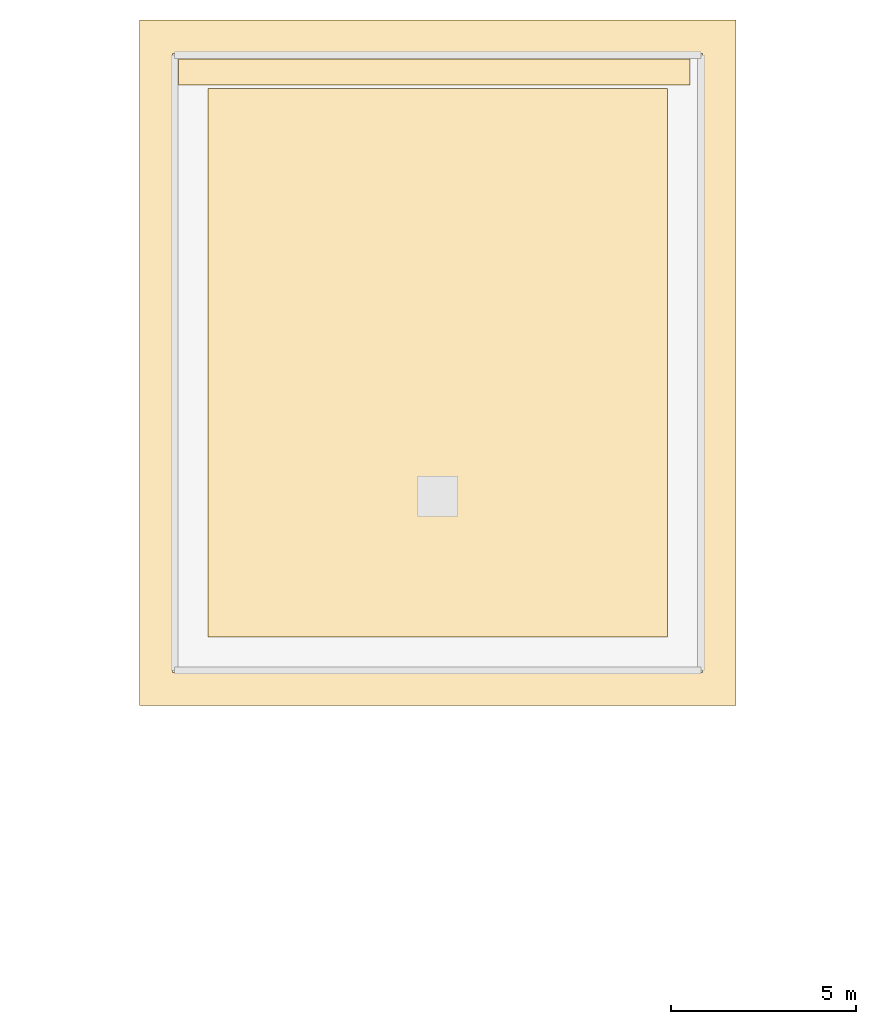
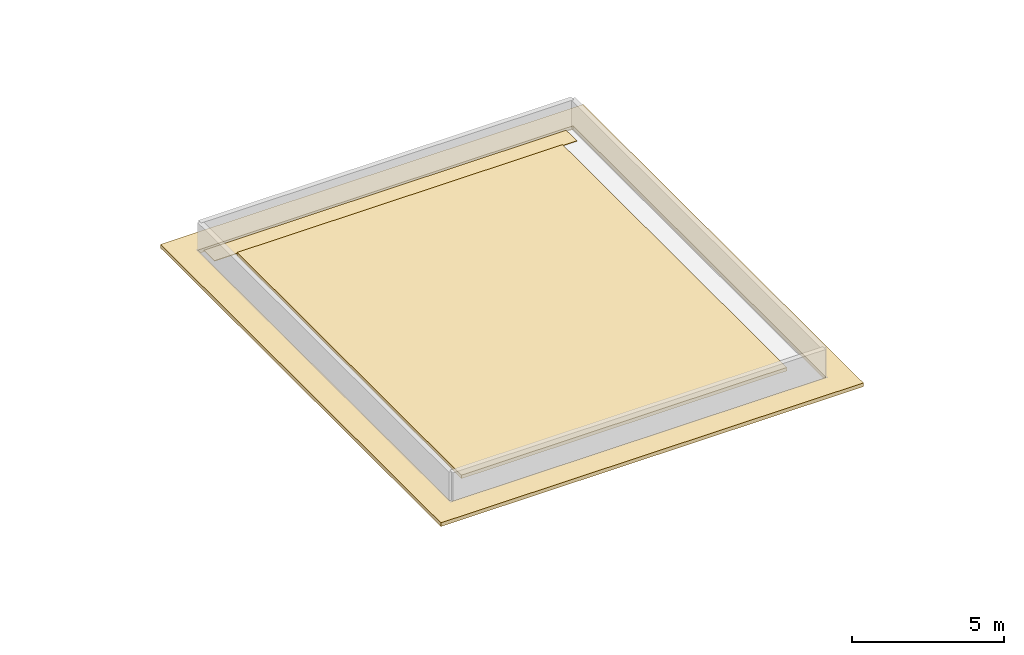
# One storey, part 39 of 46: 3 coverings.
"""IFC4 building model written with IfcOpenShell, lengths in metres."""

from ifc_helpers import new_model, si_unit, direction, frame, origin, place, context, subcontext, project, spatial, polyline, outline, extrude, material, layer, layer_set, type_object, element, save


model = new_model("IFC4")

# Units and contexts
model_context = context("Model", 3, precision=1e-05, world=origin(), true_north=direction((0.0, 1.0)))
body_context = subcontext(model_context, "Body", "Model", "MODEL_VIEW")
ifc_project = project(units=[si_unit("LENGTHUNIT", "METRE"), si_unit("AREAUNIT", "SQUARE_METRE"), si_unit("VOLUMEUNIT", "CUBIC_METRE"), si_unit("PLANEANGLEUNIT", "RADIAN"), si_unit("MASSUNIT", "GRAM", prefix="KILO")], contexts=[model_context])

# Site, building, storey
site_placement = place(None, origin())
site = spatial("IfcSite", under=ifc_project, at=site_placement, CompositionType="ELEMENT")
building_placement = place(site_placement, origin())
building = spatial("IfcBuilding", under=site, at=building_placement, Name="Nzembalo Square Collegiate School", CompositionType="ELEMENT")
storey_placement = place(building_placement, frame((0.0, 0.0, 17.340087890625)))
storey = spatial("IfcBuildingStorey", under=building, at=storey_placement, Name="L04", CompositionType="ELEMENT", Elevation=17.340087890625)

# Coverings
ifc_material_1 = material(Name="Glulam GL28h overhanging eaves cornice", Category="wood")
ifc_layer_1 = layer(ifc_material_1, 0.159912109375, Name="Glulam GL28h overhanging eaves cornice")
ifc_layer_set_1 = layer_set([ifc_layer_1], Name="Glulam GL28h overhanging eaves cornice")
covering_type_1 = type_object("IfcCoveringType", Name="EV01", PredefinedType="ROOFING", material=ifc_layer_set_1)
covering_1_placement = place(storey_placement, frame((0.0, 0.0, -0.16015625)))
element("IfcCovering", 1, at=covering_1_placement, inside=storey, type_object=covering_type_1, Name="Projecting tropical roof eaves cornice EV01-04", PredefinedType="ROOFING", context=body_context, shape_type="SweptSolid", body=[
    extrude(outline(polyline([(75.949951171875, 96.35009765625), (92.050048828125, 96.35009765625), (92.050048828125, 114.85009765625), (75.949951171875, 114.85009765625), (75.949951171875, 96.35009765625)]), holes=[polyline([(76.85009765625, 97.25), (91.14990234375, 97.25), (91.14990234375, 113.949951171875), (76.85009765625, 113.949951171875), (76.85009765625, 97.25)])]), origin(), (0.0, 0.0, 1.0), 0.150146484375),
])
ifc_material_2 = material(Name="Planted extensive green roof substrate")
ifc_layer_2 = layer(ifc_material_2, 0.139892578125, Name="Planted extensive green roof substrate")
ifc_layer_set_2 = layer_set([ifc_layer_2], Name="Planted extensive green roof substrate")
covering_type_2 = type_object("IfcCoveringType", Name="GR01", PredefinedType="ROOFING", material=ifc_layer_set_2)
covering_2_placement = place(storey_placement, origin())
element("IfcCovering", 2, at=covering_2_placement, inside=storey, type_object=covering_type_2, Name="Planted green roof bed GR01-06", PredefinedType="ROOFING", context=body_context, shape_type="SweptSolid", body=[
    extrude(outline(polyline([(77.800048828125, 98.199951171875), (90.199951171875, 98.199951171875), (90.199951171875, 113.0), (77.800048828125, 113.0), (77.800048828125, 98.199951171875)])), origin(), (0.0, 0.0, 1.0), 0.139892578125),
])
ifc_material_3 = material(Name="Reflective TPO weatherproofing membrane")
ifc_layer_3 = layer(ifc_material_3, 0.02490234375, Name="Reflective TPO weatherproofing membrane")
ifc_layer_set_3 = layer_set([ifc_layer_3], Name="Reflective TPO weatherproofing membrane")
covering_type_3 = type_object("IfcCoveringType", Name="RF01", PredefinedType="ROOFING", material=ifc_layer_set_3)
covering_3_placement = place(storey_placement, origin())
element("IfcCovering", 3, at=covering_3_placement, inside=storey, type_object=covering_type_3, Name="Roof waterproofing membrane RF01-05", PredefinedType="ROOFING", context=body_context, shape_type="SweptSolid", body=[
    extrude(outline(polyline([(77.0, 113.10009765625), (90.800048828125, 113.10009765625), (90.800048828125, 113.800048828125), (77.0, 113.800048828125), (77.0, 113.10009765625)])), origin(), (0.0, 0.0, 1.0), 0.02490234375),
])

save(model, "model.ifc")
